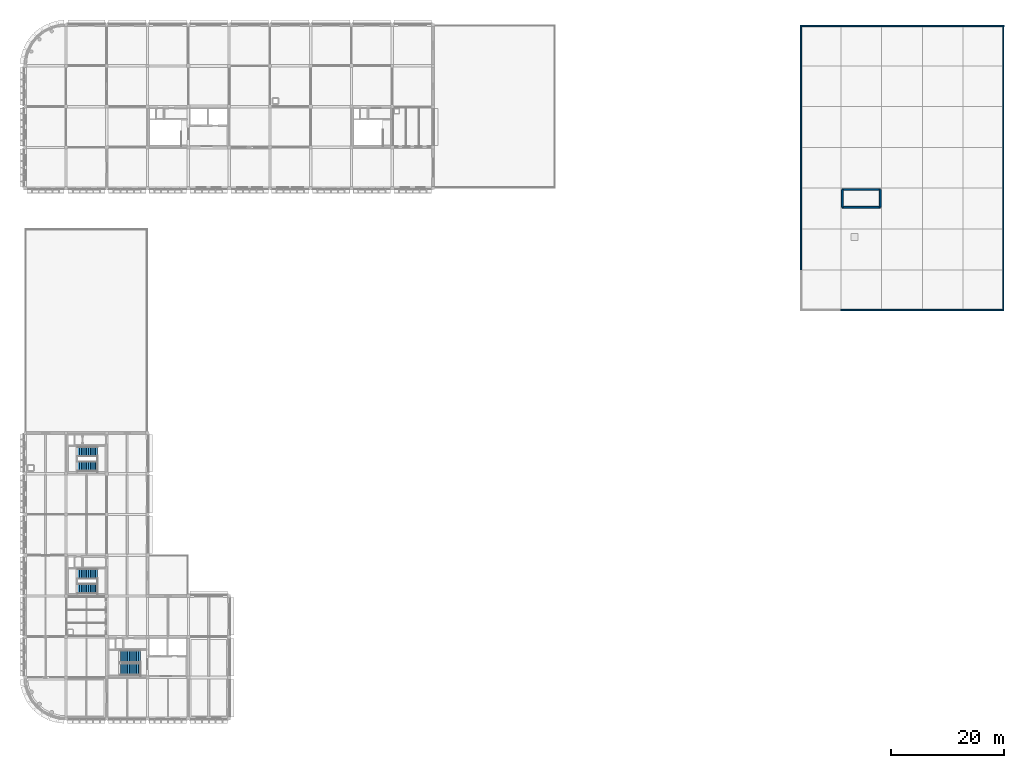
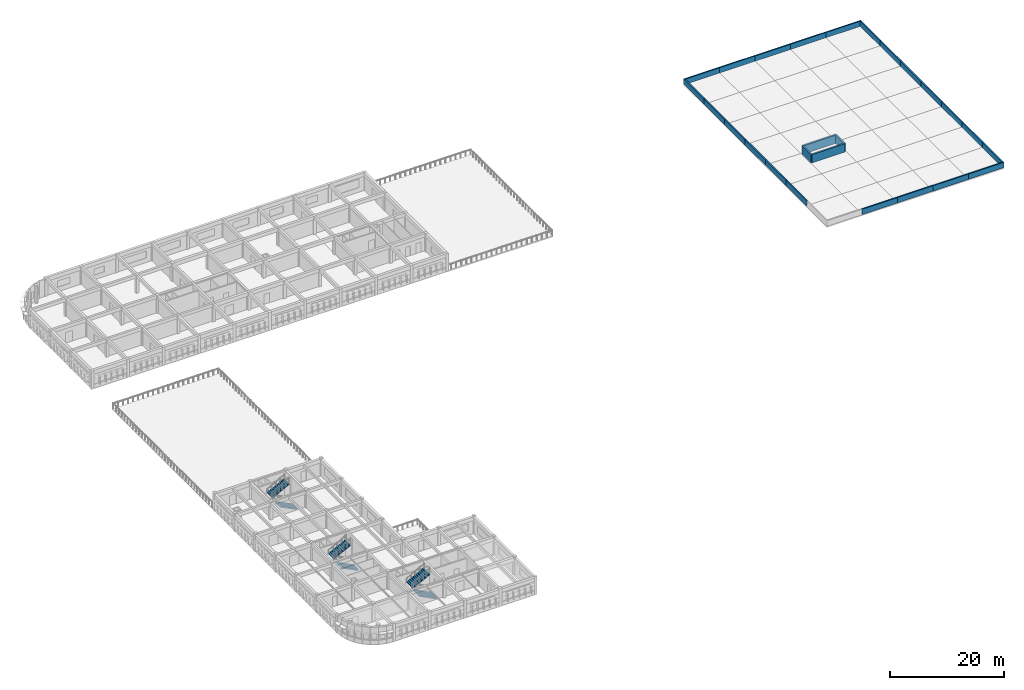
# One storey, part 19 of 22: 26 walls, 6 stair flights, 3 elements without a shape of their own.
"""IFC4 building model written with IfcOpenShell, lengths in metres."""

from ifc_helpers import new_model, si_unit, direction, frame, frame_2d, origin, place, context, subcontext, project, spatial, polyline, rectangle, outline, extrude, material, layer, layer_set, type_object, element, aggregate, save


model = new_model("IFC4")

# Units and contexts
model_context = context("Model", 3, precision=1e-05, world=origin(), true_north=direction((0.0, 1.0)))
body_context = subcontext(model_context, "Body", "Model", "MODEL_VIEW")
ifc_project = project(units=[si_unit("LENGTHUNIT", "METRE"), si_unit("AREAUNIT", "SQUARE_METRE"), si_unit("VOLUMEUNIT", "CUBIC_METRE"), si_unit("PLANEANGLEUNIT", "RADIAN"), si_unit("MASSUNIT", "GRAM", prefix="KILO")], contexts=[model_context])

# Site, building, storey
site_placement = place(None, origin())
site = spatial("IfcSite", under=ifc_project, at=site_placement, CompositionType="ELEMENT")
building_placement = place(site_placement, origin())
building = spatial("IfcBuilding", under=site, at=building_placement, Name="Thalmaran Polytechnic", CompositionType="ELEMENT")
storey_placement = place(building_placement, frame((0.0, 0.0, 22.800048828125)))
storey = spatial("IfcBuildingStorey", under=building, at=storey_placement, Name="L05", CompositionType="ELEMENT", Elevation=22.800048828125)

# Walls
ifc_material_1 = material(Name="Precast concrete C40/50", Category="concrete")
ifc_layer_1 = layer(ifc_material_1, 0.260009765625, Name="Precast concrete C40/50")
ifc_layer_set_1 = layer_set([ifc_layer_1], Name="Precast concrete C40/50")
wall_type_1 = type_object("IfcWallType", Name="WL-PW01", PredefinedType="PARAPET", material=ifc_layer_set_1)
for number, where, z_axis, x_axis, name in (
    (1, (136.929931640625, 100.800048828125, 0.0), (0.0, 0.0, 1.0), (0.0, 1.0, 0.0), "Roof Parapet Wall L05-1"),
    (2, (136.929931640625, 108.0, 0.0), (0.0, 0.0, 1.0), (0.0, 1.0, 0.0), "Roof Parapet Wall L05-1"),
    (3, (136.929931640625, 115.199951171875, 0.0), (0.0, 0.0, 1.0), (0.0, 1.0, 0.0), "Roof Parapet Wall L05-1"),
    (4, (136.800048828125, 122.27001953125, 0.0), (0.0, 0.0, 1.0), (1.0, 0.0, 0.0), "Roof Parapet Wall L05-1"),
    (5, (144.0, 122.27001953125, 0.0), (0.0, 0.0, 1.0), (1.0, 0.0, 0.0), "Roof Parapet Wall L05-1"),
    (6, (151.199951171875, 122.27001953125, 0.0), (0.0, 0.0, 1.0), (1.0, 0.0, 0.0), "Roof Parapet Wall L05-1"),
):
    element("IfcWall", number, at=place(storey_placement, frame(where, z_axis=z_axis, x_axis=x_axis)), inside=storey, type_object=wall_type_1, Name=name, PredefinedType="PARAPET", context=body_context, shape_type="SweptSolid", body=[
        extrude(rectangle(XDim=7.199951171875, YDim=0.260009765625, at=frame_2d((3.60009765625, 0.0))), origin(), (0.0, 0.0, 1.0), 1.14990234375),
    ])
wall_1_placement = place(storey_placement, frame((158.39990234375, 122.27001953125, 0.0), z_axis=(0.0, 0.0, 1.0), x_axis=(1.0, 0.0, 0.0)))
element("IfcWall", 7, at=wall_1_placement, inside=storey, type_object=wall_type_1, Name="Roof Parapet Wall L05-1", PredefinedType="PARAPET", context=body_context, shape_type="SweptSolid", body=[
    extrude(rectangle(XDim=7.2001953125, YDim=0.260009765625, at=frame_2d((3.60009765625, 0.0))), origin(), (0.0, 0.0, 1.0), 1.14990234375),
])
for number, where, z_axis, x_axis, name in (
    (8, (165.60009765625, 122.27001953125, 0.0), (0.0, 0.0, 1.0), (1.0, 0.0, 0.0), "Roof Parapet Wall L05-1"),
    (9, (172.669921875, 122.39990234375, 0.0), (0.0, 0.0, 1.0), (0.0, -1.0, 0.0), "Roof Parapet Wall L05-1"),
    (10, (172.669921875, 115.199951171875, 0.0), (0.0, 0.0, 1.0), (0.0, -1.0, 0.0), "Roof Parapet Wall L05-1"),
    (11, (172.669921875, 108.0, 0.0), (0.0, 0.0, 1.0), (0.0, -1.0, 0.0), "Roof Parapet Wall L05-1"),
    (12, (172.669921875, 100.800048828125, 0.0), (0.0, 0.0, 1.0), (0.0, -1.0, 0.0), "Roof Parapet Wall L05-1"),
):
    element("IfcWall", number, at=place(storey_placement, frame(where, z_axis=z_axis, x_axis=x_axis)), inside=storey, type_object=wall_type_1, Name=name, PredefinedType="PARAPET", context=body_context, shape_type="SweptSolid", body=[
        extrude(rectangle(XDim=7.199951171875, YDim=0.260009765625, at=frame_2d((3.60009765625, 0.0))), origin(), (0.0, 0.0, 1.0), 1.14990234375),
    ])
wall_2_placement = place(storey_placement, frame((172.669921875, 93.60009765625, 0.0), z_axis=(0.0, 0.0, 1.0), x_axis=(0.0, -1.0, 0.0)))
element("IfcWall", 13, at=wall_2_placement, inside=storey, type_object=wall_type_1, Name="Roof Parapet Wall L05-1", PredefinedType="PARAPET", context=body_context, shape_type="SweptSolid", body=[
    extrude(rectangle(XDim=7.2001953125, YDim=0.260009765625, at=frame_2d((3.60009765625, 0.0))), origin(), (0.0, 0.0, 1.0), 1.14990234375),
])
for number, where, z_axis, x_axis, name in (
    (14, (172.669921875, 86.39990234375, 0.0), (0.0, 0.0, 1.0), (0.0, -1.0, 0.0), "Roof Parapet Wall L05-1"),
    (15, (172.669921875, 79.199951171875, 0.0), (0.0, 0.0, 1.0), (0.0, -1.0, 0.0), "Roof Parapet Wall L05-1"),
    (16, (172.800048828125, 72.1298828125, 0.0), (0.0, 0.0, 1.0), (-1.0, 0.0, 0.0), "Roof Parapet Wall L05-1"),
):
    element("IfcWall", number, at=place(storey_placement, frame(where, z_axis=z_axis, x_axis=x_axis)), inside=storey, type_object=wall_type_1, Name=name, PredefinedType="PARAPET", context=body_context, shape_type="SweptSolid", body=[
        extrude(rectangle(XDim=7.199951171875, YDim=0.260009765625, at=frame_2d((3.60009765625, 0.0))), origin(), (0.0, 0.0, 1.0), 1.14990234375),
    ])
wall_3_placement = place(storey_placement, frame((165.60009765625, 72.1298828125, 0.0), z_axis=(0.0, 0.0, 1.0), x_axis=(-1.0, 0.0, 0.0)))
element("IfcWall", 17, at=wall_3_placement, inside=storey, type_object=wall_type_1, Name="Roof Parapet Wall L05-1", PredefinedType="PARAPET", context=body_context, shape_type="SweptSolid", body=[
    extrude(rectangle(XDim=7.2001953125, YDim=0.260009765625, at=frame_2d((3.60009765625, 0.0))), origin(), (0.0, 0.0, 1.0), 1.14990234375),
])
for number, where, z_axis, x_axis, name in (
    (18, (158.39990234375, 72.1298828125, 0.0), (0.0, 0.0, 1.0), (-1.0, 0.0, 0.0), "Roof Parapet Wall L05-1"),
    (19, (151.199951171875, 72.1298828125, 0.0), (0.0, 0.0, 1.0), (-1.0, 0.0, 0.0), "Roof Parapet Wall L05-1"),
    (20, (136.929931640625, 79.199951171875, 0.0), (0.0, 0.0, 1.0), (0.0, 1.0, 0.0), "Roof Parapet Wall L05-1"),
):
    element("IfcWall", number, at=place(storey_placement, frame(where, z_axis=z_axis, x_axis=x_axis)), inside=storey, type_object=wall_type_1, Name=name, PredefinedType="PARAPET", context=body_context, shape_type="SweptSolid", body=[
        extrude(rectangle(XDim=7.199951171875, YDim=0.260009765625, at=frame_2d((3.60009765625, 0.0))), origin(), (0.0, 0.0, 1.0), 1.14990234375),
    ])
wall_4_placement = place(storey_placement, frame((136.929931640625, 86.39990234375, 0.0), z_axis=(0.0, 0.0, 1.0), x_axis=(0.0, 1.0, 0.0)))
element("IfcWall", 21, at=wall_4_placement, inside=storey, type_object=wall_type_1, Name="Roof Parapet Wall L05-1", PredefinedType="PARAPET", context=body_context, shape_type="SweptSolid", body=[
    extrude(rectangle(XDim=7.2001953125, YDim=0.260009765625, at=frame_2d((3.60009765625, 0.0))), origin(), (0.0, 0.0, 1.0), 1.14990234375),
])
wall_5_placement = place(storey_placement, frame((136.929931640625, 93.60009765625, 0.0), z_axis=(0.0, 0.0, 1.0), x_axis=(0.0, 1.0, 0.0)))
element("IfcWall", 22, at=wall_5_placement, inside=storey, type_object=wall_type_1, Name="Roof Parapet Wall L05-1", PredefinedType="PARAPET", context=body_context, shape_type="SweptSolid", body=[
    extrude(rectangle(XDim=7.199951171875, YDim=0.260009765625, at=frame_2d((3.60009765625, 0.0))), origin(), (0.0, 0.0, 1.0), 1.14990234375),
])
ifc_material_2 = material(Name="Concrete C50/60", Category="concrete")
ifc_layer_2 = layer(ifc_material_2, 0.300048828125, Name="Concrete C50/60")
ifc_layer_set_2 = layer_set([ifc_layer_2], Name="Concrete C50/60")
wall_type_2 = type_object("IfcWallType", Name="WL-SW04", PredefinedType="SHEAR", material=ifc_layer_set_2)
wall_6_placement = place(storey_placement, frame((144.25, 90.25, 0.0), z_axis=(0.0, 0.0, 1.0), x_axis=(1.0, 0.0, 0.0)))
element("IfcWall", 23, at=wall_6_placement, inside=storey, type_object=wall_type_2, Name="Core C5 Lift Overrun Wall S", PredefinedType="SHEAR", context=body_context, shape_type="SweptSolid", body=[
    extrude(rectangle(XDim=6.699951171875, YDim=0.300048828125, at=frame_2d((3.35009765625, 0.0))), origin(), (0.0, 0.0, 1.0), 1.800048828125),
])
wall_7_placement = place(storey_placement, frame((150.949951171875, 90.25, 0.0), z_axis=(0.0, 0.0, 1.0), x_axis=(0.0, 1.0, 0.0)))
element("IfcWall", 24, at=wall_7_placement, inside=storey, type_object=wall_type_2, Name="Core C5 Lift Overrun Wall E", PredefinedType="SHEAR", context=body_context, shape_type="SweptSolid", body=[
    extrude(rectangle(XDim=3.10009765625, YDim=0.300048828125, at=frame_2d((1.550048828125, 0.0))), origin(), (0.0, 0.0, 1.0), 1.800048828125),
])
wall_8_placement = place(storey_placement, frame((150.949951171875, 93.35009765625, 0.0), z_axis=(0.0, 0.0, 1.0), x_axis=(-1.0, 0.0, 0.0)))
element("IfcWall", 25, at=wall_8_placement, inside=storey, type_object=wall_type_2, Name="Core C5 Lift Overrun Wall N", PredefinedType="SHEAR", context=body_context, shape_type="SweptSolid", body=[
    extrude(rectangle(XDim=6.699951171875, YDim=0.300048828125, at=frame_2d((3.35009765625, 0.0))), origin(), (0.0, 0.0, 1.0), 1.800048828125),
])
wall_9_placement = place(storey_placement, frame((144.25, 93.35009765625, 0.0), z_axis=(0.0, 0.0, 1.0), x_axis=(0.0, -1.0, 0.0)))
element("IfcWall", 26, at=wall_9_placement, inside=storey, type_object=wall_type_2, Name="Core C5 Lift Overrun Wall W", PredefinedType="SHEAR", context=body_context, shape_type="SweptSolid", body=[
    extrude(rectangle(XDim=3.10009765625, YDim=0.300048828125, at=frame_2d((1.550048828125, 0.0))), origin(), (0.0, 0.0, 1.0), 1.800048828125),
])

# Stair, stair flights
ifc_material_3 = material(Name="Concrete C40/50", Category="concrete")
stair_type = type_object("IfcStairType", Name="ST-HT39", PredefinedType="HALF_TURN_STAIR", material=ifc_material_3)
stair_1_placement = place(storey_placement, origin())
stair_1 = element("IfcStair", 27, at=stair_1_placement, inside=storey, type_object=stair_type, Name="Exit Stair ST1 L05", PredefinedType="HALF_TURN_STAIR")
stair_flight_type = type_object("IfcStairFlightType", Name="SF-FL12", PredefinedType="STRAIGHT", material=ifc_material_3)
stair_flight_1_placement = place(storey_placement, frame((20.320068359375, 8.56005859375, 0.0), z_axis=(0.0, 0.0, 1.0), x_axis=(-1.0, 0.0, 0.0)))
stair_flight_1 = element("IfcStairFlight", 28, at=stair_flight_1_placement, type_object=stair_flight_type, Name="Stair Flight ST1 L05 Lower", NumberOfRisers=12, NumberOfTreads=11, PredefinedType="STRAIGHT", RiserHeight=0.1625, TreadLength=0.32, context=body_context, shape_type="SweptSolid", body=[
    extrude(outline(polyline([(0.0, 0.0), (0.0, 0.16259765625), (0.320068359375, 0.16259765625), (0.320068359375, 0.324951171875), (0.639892578125, 0.324951171875), (0.639892578125, 0.487548828125), (0.9599609375, 0.487548828125), (0.9599609375, 0.64990234375), (1.280029296875, 0.64990234375), (1.280029296875, 0.8125), (1.60009765625, 0.8125), (1.60009765625, 0.97509765625), (1.919921875, 0.97509765625), (1.919921875, 1.137451171875), (2.239990234375, 1.137451171875), (2.239990234375, 1.300048828125), (2.56005859375, 1.300048828125), (2.56005859375, 1.46240234375), (2.8798828125, 1.46240234375), (2.8798828125, 1.625), (3.199951171875, 1.625), (3.199951171875, 1.78759765625), (3.52001953125, 1.78759765625), (3.52001953125, 1.949951171875), (3.52001953125, 1.585693359375), (0.3974609375, 0.0), (0.0, 0.0)])), frame((0.0, 1.080078125, 0.0), z_axis=(0.0, -1.0, 0.0), x_axis=(1.0, 0.0, 0.0)), (0.0, 0.0, 1.0), 2.159912109375),
])
stair_flight_2_placement = place(storey_placement, frame((16.800048828125, 11.02001953125, 1.949951171875), z_axis=(0.0, 0.0, 1.0), x_axis=(1.0, 0.0, 0.0)))
stair_flight_2 = element("IfcStairFlight", 29, at=stair_flight_2_placement, type_object=stair_flight_type, Name="Stair Flight ST1 L05 Upper", NumberOfRisers=12, NumberOfTreads=11, PredefinedType="STRAIGHT", RiserHeight=0.1625, TreadLength=0.32, context=body_context, shape_type="SweptSolid", body=[
    extrude(outline(polyline([(0.0, 0.0), (0.0, 0.16259765625), (0.320068359375, 0.16259765625), (0.320068359375, 0.324951171875), (0.639892578125, 0.324951171875), (0.639892578125, 0.487548828125), (0.9599609375, 0.487548828125), (0.9599609375, 0.64990234375), (1.280029296875, 0.64990234375), (1.280029296875, 0.8125), (1.60009765625, 0.8125), (1.60009765625, 0.97509765625), (1.919921875, 0.97509765625), (1.919921875, 1.137451171875), (2.239990234375, 1.137451171875), (2.239990234375, 1.300048828125), (2.56005859375, 1.300048828125), (2.56005859375, 1.46240234375), (2.8798828125, 1.46240234375), (2.8798828125, 1.625), (3.199951171875, 1.625), (3.199951171875, 1.78759765625), (3.52001953125, 1.78759765625), (3.52001953125, 1.949951171875), (3.52001953125, 1.585693359375), (0.3974609375, 0.0), (0.0, 0.0)])), frame((0.0, 1.080078125, 0.0), z_axis=(0.0, -1.0, 0.0), x_axis=(1.0, 0.0, 0.0)), (0.0, 0.0, 1.0), 2.159912109375),
])
aggregate(stair_1, [stair_flight_1, stair_flight_2])

stair_2_placement = place(storey_placement, origin())
stair_2 = element("IfcStair", 30, at=stair_2_placement, inside=storey, type_object=stair_type, Name="Exit Stair ST3 L05", PredefinedType="HALF_TURN_STAIR")
stair_flight_3_placement = place(storey_placement, frame((12.760009765625, 22.7900390625, 0.0), z_axis=(0.0, 0.0, 1.0), x_axis=(-1.0, 0.0, 0.0)))
stair_flight_3 = element("IfcStairFlight", 31, at=stair_flight_3_placement, type_object=stair_flight_type, Name="Stair Flight ST3 L05 Lower", NumberOfRisers=12, NumberOfTreads=11, PredefinedType="STRAIGHT", RiserHeight=0.1625, TreadLength=0.318182, context=body_context, shape_type="SweptSolid", body=[
    extrude(outline(polyline([(0.0, 0.0), (0.0, 0.16259765625), (0.318115234375, 0.16259765625), (0.318115234375, 0.324951171875), (0.636474609375, 0.324951171875), (0.636474609375, 0.487548828125), (0.95458984375, 0.487548828125), (0.95458984375, 0.64990234375), (1.272705078125, 0.64990234375), (1.272705078125, 0.8125), (1.5908203125, 0.8125), (1.5908203125, 0.97509765625), (1.9091796875, 0.97509765625), (1.9091796875, 1.137451171875), (2.227294921875, 1.137451171875), (2.227294921875, 1.300048828125), (2.54541015625, 1.300048828125), (2.54541015625, 1.46240234375), (2.863525390625, 1.46240234375), (2.863525390625, 1.625), (3.181884765625, 1.625), (3.181884765625, 1.78759765625), (3.5, 1.78759765625), (3.5, 1.949951171875), (3.5, 1.58544921875), (0.3955078125, 0.0), (0.0, 0.0)])), frame((0.0, 0.91015625, 0.0), z_axis=(0.0, -1.0, 0.0), x_axis=(1.0, 0.0, 0.0)), (0.0, 0.0, 1.0), 1.820068359375),
])
stair_flight_4_placement = place(storey_placement, frame((9.260009765625, 25.590087890625, 1.949951171875), z_axis=(0.0, 0.0, 1.0), x_axis=(1.0, 0.0, 0.0)))
stair_flight_4 = element("IfcStairFlight", 32, at=stair_flight_4_placement, type_object=stair_flight_type, Name="Stair Flight ST3 L05 Upper", NumberOfRisers=12, NumberOfTreads=11, PredefinedType="STRAIGHT", RiserHeight=0.1625, TreadLength=0.318182, context=body_context, shape_type="SweptSolid", body=[
    extrude(outline(polyline([(0.0, 0.0), (0.0, 0.16259765625), (0.318115234375, 0.16259765625), (0.318115234375, 0.324951171875), (0.636474609375, 0.324951171875), (0.636474609375, 0.487548828125), (0.95458984375, 0.487548828125), (0.95458984375, 0.64990234375), (1.272705078125, 0.64990234375), (1.272705078125, 0.8125), (1.5908203125, 0.8125), (1.5908203125, 0.97509765625), (1.9091796875, 0.97509765625), (1.9091796875, 1.137451171875), (2.227294921875, 1.137451171875), (2.227294921875, 1.300048828125), (2.54541015625, 1.300048828125), (2.54541015625, 1.46240234375), (2.863525390625, 1.46240234375), (2.863525390625, 1.625), (3.181884765625, 1.625), (3.181884765625, 1.78759765625), (3.5, 1.78759765625), (3.5, 1.949951171875), (3.5, 1.58544921875), (0.3955078125, 0.0), (0.0, 0.0)])), frame((0.0, 0.91015625, 0.0), z_axis=(0.0, -1.0, 0.0), x_axis=(1.0, 0.0, 0.0)), (0.0, 0.0, 1.0), 1.820068359375),
])
aggregate(stair_2, [stair_flight_3, stair_flight_4])

stair_3_placement = place(storey_placement, origin())
stair_3 = element("IfcStair", 33, at=stair_3_placement, inside=storey, type_object=stair_type, Name="Exit Stair ST4 L05", PredefinedType="HALF_TURN_STAIR")
stair_flight_5_placement = place(storey_placement, frame((12.760009765625, 44.389892578125, 0.0), z_axis=(0.0, 0.0, 1.0), x_axis=(-1.0, 0.0, 0.0)))
stair_flight_5 = element("IfcStairFlight", 34, at=stair_flight_5_placement, type_object=stair_flight_type, Name="Stair Flight ST4 L05 Lower", NumberOfRisers=12, NumberOfTreads=11, PredefinedType="STRAIGHT", RiserHeight=0.1625, TreadLength=0.318182, context=body_context, shape_type="SweptSolid", body=[
    extrude(outline(polyline([(0.0, 0.0), (0.0, 0.16259765625), (0.318115234375, 0.16259765625), (0.318115234375, 0.324951171875), (0.636474609375, 0.324951171875), (0.636474609375, 0.487548828125), (0.95458984375, 0.487548828125), (0.95458984375, 0.64990234375), (1.272705078125, 0.64990234375), (1.272705078125, 0.8125), (1.5908203125, 0.8125), (1.5908203125, 0.97509765625), (1.9091796875, 0.97509765625), (1.9091796875, 1.137451171875), (2.227294921875, 1.137451171875), (2.227294921875, 1.300048828125), (2.54541015625, 1.300048828125), (2.54541015625, 1.46240234375), (2.863525390625, 1.46240234375), (2.863525390625, 1.625), (3.181884765625, 1.625), (3.181884765625, 1.78759765625), (3.5, 1.78759765625), (3.5, 1.949951171875), (3.5, 1.58544921875), (0.3955078125, 0.0), (0.0, 0.0)])), frame((0.0, 0.91015625, 0.0), z_axis=(0.0, -1.0, 0.0), x_axis=(1.0, 0.0, 0.0)), (0.0, 0.0, 1.0), 1.820068359375),
])
stair_flight_6_placement = place(storey_placement, frame((9.260009765625, 47.18994140625, 1.949951171875), z_axis=(0.0, 0.0, 1.0), x_axis=(1.0, 0.0, 0.0)))
stair_flight_6 = element("IfcStairFlight", 35, at=stair_flight_6_placement, type_object=stair_flight_type, Name="Stair Flight ST4 L05 Upper", NumberOfRisers=12, NumberOfTreads=11, PredefinedType="STRAIGHT", RiserHeight=0.1625, TreadLength=0.318182, context=body_context, shape_type="SweptSolid", body=[
    extrude(outline(polyline([(0.0, 0.0), (0.0, 0.16259765625), (0.318115234375, 0.16259765625), (0.318115234375, 0.324951171875), (0.636474609375, 0.324951171875), (0.636474609375, 0.487548828125), (0.95458984375, 0.487548828125), (0.95458984375, 0.64990234375), (1.272705078125, 0.64990234375), (1.272705078125, 0.8125), (1.5908203125, 0.8125), (1.5908203125, 0.97509765625), (1.9091796875, 0.97509765625), (1.9091796875, 1.137451171875), (2.227294921875, 1.137451171875), (2.227294921875, 1.300048828125), (2.54541015625, 1.300048828125), (2.54541015625, 1.46240234375), (2.863525390625, 1.46240234375), (2.863525390625, 1.625), (3.181884765625, 1.625), (3.181884765625, 1.78759765625), (3.5, 1.78759765625), (3.5, 1.949951171875), (3.5, 1.58544921875), (0.3955078125, 0.0), (0.0, 0.0)])), frame((0.0, 0.91015625, 0.0), z_axis=(0.0, -1.0, 0.0), x_axis=(1.0, 0.0, 0.0)), (0.0, 0.0, 1.0), 1.820068359375),
])
aggregate(stair_3, [stair_flight_5, stair_flight_6])

save(model, "model.ifc")
